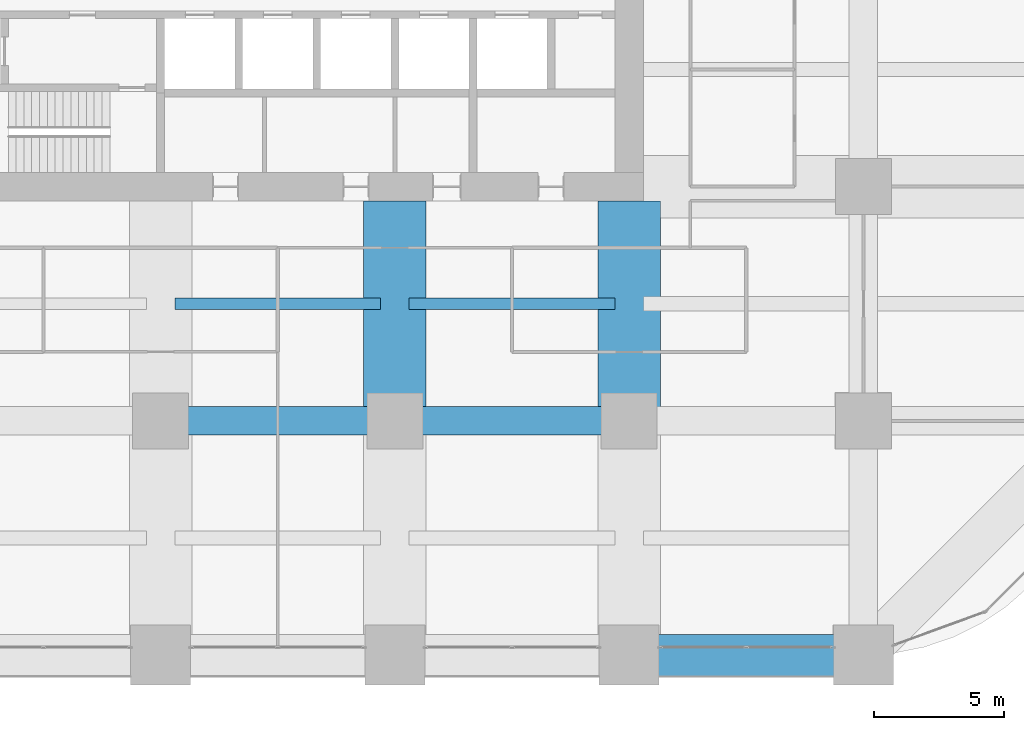
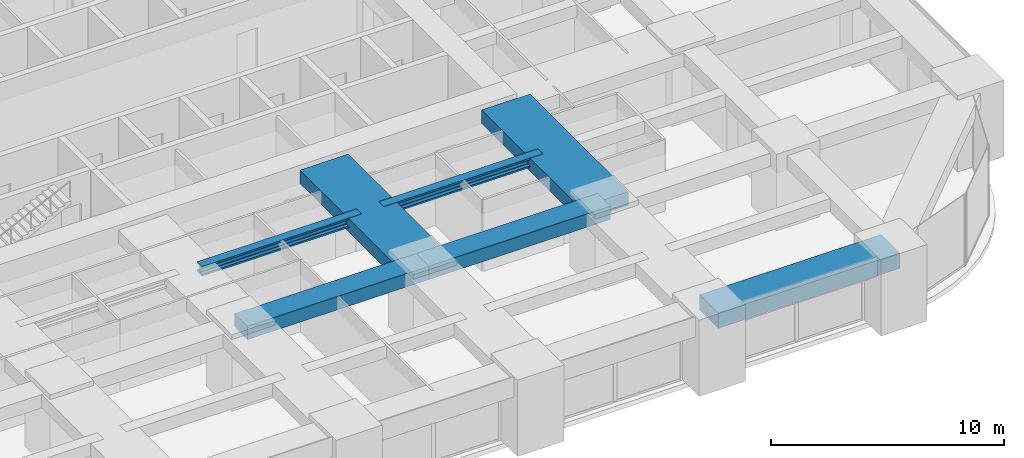
# One storey, part 14 of 44: 7 beams.
"""IFC4 building model written with IfcOpenShell, lengths in metres."""

from ifc_helpers import new_model, si_unit, direction, frame, origin, origin_2d, place, context, subcontext, project, spatial, rectangle, i_section, extrude, material, material_profile, profile_set, type_object, element, save


model = new_model("IFC4")

# Units and contexts
model_context = context("Model", 3, precision=1e-05, world=origin(), true_north=direction((0.0, 1.0)))
body_context = subcontext(model_context, "Body", "Model", "MODEL_VIEW")
ifc_project = project(units=[si_unit("LENGTHUNIT", "METRE"), si_unit("AREAUNIT", "SQUARE_METRE"), si_unit("VOLUMEUNIT", "CUBIC_METRE"), si_unit("PLANEANGLEUNIT", "RADIAN"), si_unit("MASSUNIT", "GRAM", prefix="KILO")], contexts=[model_context])

# Site, building, storey
site_placement = place(None, origin())
site = spatial("IfcSite", under=ifc_project, at=site_placement, CompositionType="ELEMENT")
building_placement = place(site_placement, origin())
building = spatial("IfcBuilding", under=site, at=building_placement, Name="Zorevar Civic Tower", CompositionType="ELEMENT")
storey_placement = place(building_placement, frame((0.0, 0.0, 63.800048828125)))
storey = spatial("IfcBuildingStorey", under=building, at=storey_placement, Name="L15", CompositionType="ELEMENT", Elevation=63.800048828125)

# Beams
ifc_material_1 = material(Name="Concrete C50/60", Category="concrete")
ifc_material_profile_1 = material_profile(ifc_material_1, rectangle(XDim=1.10009765625, YDim=0.699951171875, at=origin_2d()), Name="RC 1100x700")
ifc_profile_set_1 = profile_set([ifc_material_profile_1], Name="Concrete C50/60")
beam_type_1 = type_object("IfcBeamType", Name="Beam RC 1100x700", PredefinedType="BEAM", material=ifc_profile_set_1)
for number, where, z_axis, x_axis, name in (
    (1, (27.0, 9.0, 3.39990234375), (1.0, 0.0, 0.0), (0.0, 1.0, 0.0), "Girder L16"),
    (2, (36.0, 9.0, 3.39990234375), (1.0, 0.0, 0.0), (0.0, 1.0, 0.0), "Girder L16"),
):
    element("IfcBeam", number, at=place(storey_placement, frame(where, z_axis=z_axis, x_axis=x_axis)), inside=storey, type_object=beam_type_1, Name=name, PredefinedType="BEAM", context=body_context, shape_type="SweptSolid", body=[
        extrude(rectangle(XDim=1.10009765625, YDim=0.699951171875, at=origin_2d()), origin(), (0.0, 0.0, 1.0), 9.0),
    ])
ifc_material_2 = material(Name="Concrete C50/60", Category="concrete")
ifc_material_profile_2 = material_profile(ifc_material_2, rectangle(XDim=2.39990234375, YDim=0.699951171875, at=origin_2d()), Name="RC 2400x700")
ifc_profile_set_2 = profile_set([ifc_material_profile_2], Name="Concrete C50/60")
beam_type_2 = type_object("IfcBeamType", Name="Beam RC 2400x700", PredefinedType="BEAM", material=ifc_profile_set_2)
for number, where, z_axis, x_axis, name in (
    (3, (36.0, 9.0, 3.39990234375), (0.0, 1.0, 0.0), (-1.0, 0.0, 0.0), "Girder L16"),
    (4, (45.0, 9.0, 3.39990234375), (0.0, 1.0, 0.0), (-1.0, 0.0, 0.0), "Girder L16"),
):
    element("IfcBeam", number, at=place(storey_placement, frame(where, z_axis=z_axis, x_axis=x_axis)), inside=storey, type_object=beam_type_2, Name=name, PredefinedType="BEAM", context=body_context, shape_type="SweptSolid", body=[
        extrude(rectangle(XDim=2.39990234375, YDim=0.699951171875, at=origin_2d()), origin(), (0.0, 0.0, 1.0), 8.449951171875),
    ])
ifc_material_3 = material(Name="Steel S460M (HISTAR 460)", Category="steel")
ifc_material_profile_3 = material_profile(ifc_material_3, i_section(OverallWidth=0.431884765625, OverallDepth=0.498046875, WebThickness=0.0556640625, FlangeThickness=0.0888671875, FilletRadius=0.014892578125, at=origin_2d()), Name="HD 400x744")
ifc_profile_set_3 = profile_set([ifc_material_profile_3], Name="Steel S460M (HISTAR 460)")
beam_type_3 = type_object("IfcBeamType", Name="Core bay beam HD 400x744", PredefinedType="BEAM", material=ifc_profile_set_3)
for number, where, z_axis, x_axis, name in (
    (5, (27.550048828125, 13.5, 3.5009765625), (1.0, 0.0, 0.0), (0.0, 1.0, 0.0), "Secondary beam L16"),
    (6, (36.550048828125, 13.5, 3.5009765625), (1.0, 0.0, 0.0), (0.0, 1.0, 0.0), "Secondary beam L16"),
):
    element("IfcBeam", number, at=place(storey_placement, frame(where, z_axis=z_axis, x_axis=x_axis)), inside=storey, type_object=beam_type_3, Name=name, PredefinedType="BEAM", context=body_context, shape_type="SweptSolid", body=[
        extrude(i_section(OverallWidth=0.431884765625, OverallDepth=0.498046875, WebThickness=0.0556640625, FlangeThickness=0.0888671875, FilletRadius=0.014892578125, at=origin_2d()), origin(), (0.0, 0.0, 1.0), 7.89990234375),
    ])
ifc_material_4 = material(Name="Concrete C50/60", Category="concrete")
ifc_material_profile_4 = material_profile(ifc_material_4, rectangle(XDim=1.60009765625, YDim=0.800048828125, at=origin_2d()), Name="RC 1600x800")
ifc_profile_set_4 = profile_set([ifc_material_profile_4], Name="Concrete C50/60")
beam_type_4 = type_object("IfcBeamType", Name="Edge beam RC 1600x800", PredefinedType="SPANDREL", material=ifc_profile_set_4)
beam_placement = place(storey_placement, frame((45.0, 0.0, 3.349853515625), z_axis=(1.0, 0.0, 0.0), x_axis=(0.0, 1.0, 0.0)))
element("IfcBeam", 7, at=beam_placement, inside=storey, type_object=beam_type_4, Name="Edge beam L16", PredefinedType="SPANDREL", context=body_context, shape_type="SweptSolid", body=[
    extrude(rectangle(XDim=1.60009765625, YDim=0.800048828125, at=origin_2d()), origin(), (0.0, 0.0, 1.0), 9.0),
])

save(model, "model.ifc")
